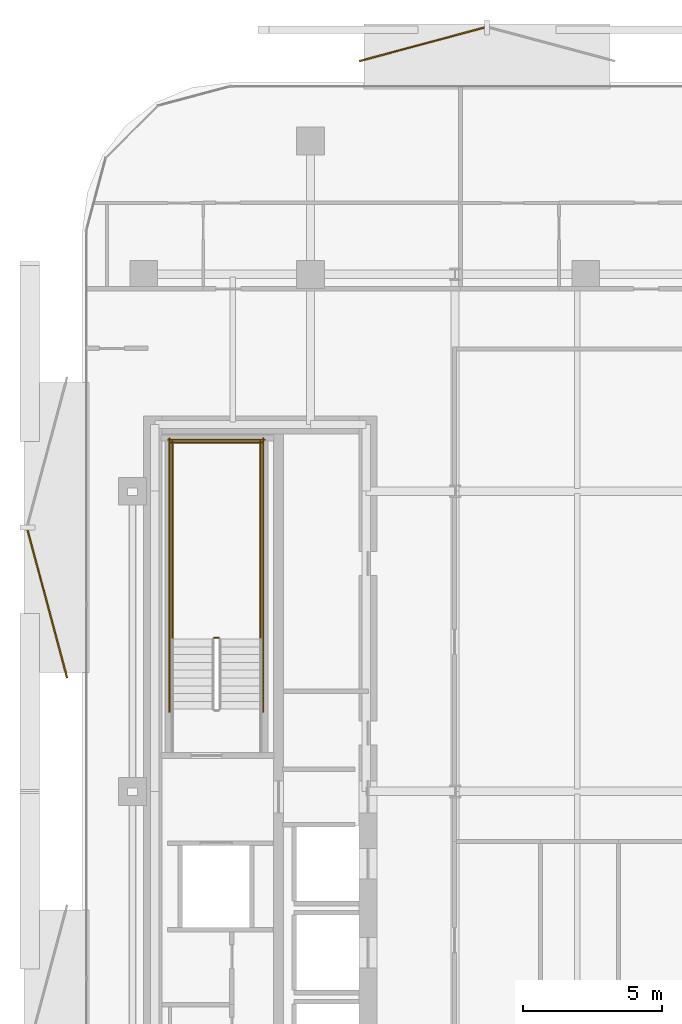
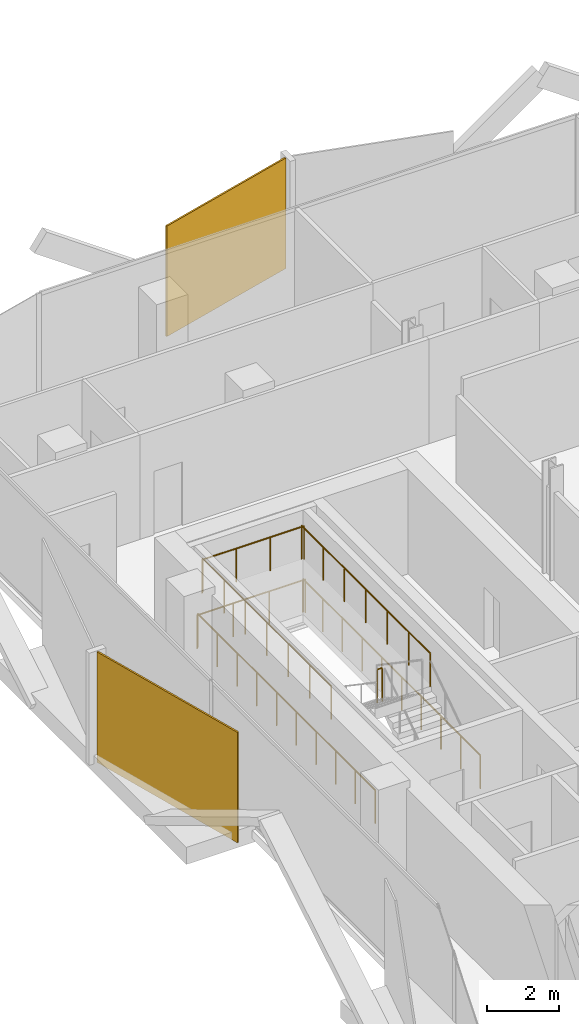
# One storey, part 16 of 17: 7 railings, 2 coverings.
"""IFC4 building model written with IfcOpenShell, lengths in metres."""

import ifcopenshell
import ifcopenshell.guid

model = None  # the IFC model being written
_history = None  # IfcOwnerHistory: only IFC2X3 demands one
_inside = {}  # id of a spatial element -> (the spatial element, [elements in it])
_under = {}  # id of a project, library or spatial element -> (it, [spatial elements below it])
_declared = {}  # id of a project -> (the project, [libraries it declares])
_typed = {}  # id of a type object -> (the type object, [elements of that type])
_made_of = {}  # id of a material, layer set ... -> (it, [elements and type objects made of it])


def new_model(schema):
    """Start an empty IFC model of exactly this schema.

    Asked for "IFC4X3", IfcOpenShell would pick the latest addendum, in which some entities
    have other attributes; the version numbers below select the first issue.
    IFC2X3 requires an IfcOwnerHistory on every rooted entity: one is made here for all.
    """
    global model, _history
    if schema == "IFC4X3":
        model = ifcopenshell.file(schema_version=(4, 3, 0, 0))
    else:
        model = ifcopenshell.file(schema=schema)
    _inside.clear()
    _under.clear()
    _declared.clear()
    _typed.clear()
    _made_of.clear()
    _history = None
    if model.schema == "IFC2X3":
        org = make("IfcOrganization", Name="unknown")
        user = make(
            "IfcPersonAndOrganization",
            ThePerson=make("IfcPerson", FamilyName="unknown"),
            TheOrganization=org,
        )
        app = make(
            "IfcApplication",
            ApplicationDeveloper=org,
            Version="unknown",
            ApplicationFullName="unknown",
            ApplicationIdentifier="unknown",
        )
        _history = make(
            "IfcOwnerHistory",
            OwningUser=user,
            OwningApplication=app,
            ChangeAction="ADDED",
            CreationDate=0,
        )
    return model


def make(cls, **values):
    """One entity of the class cls with the attributes given. An attribute that is None is left unset."""
    return model.create_entity(
        cls, **{name: value for name, value in values.items() if value is not None}
    )


def rooted(cls, **values):
    """An entity with a GlobalId (a new one), such as an element, a storey or a relation."""
    return make(cls, GlobalId=ifcopenshell.guid.new(), OwnerHistory=_history, **values)


def si_unit(unit_type, name, prefix=None):
    """IfcSIUnit, for example si_unit("LENGTHUNIT", "METRE", prefix="MILLI")."""
    return make("IfcSIUnit", UnitType=unit_type, Prefix=prefix, Name=name)


def assignment(units):
    """IfcUnitAssignment: the units of a project."""
    return None if units is None else make("IfcUnitAssignment", Units=units)


def point(xyz):
    """IfcCartesianPoint."""
    return None if xyz is None else make("IfcCartesianPoint", Coordinates=xyz)


def direction(xyz):
    """IfcDirection."""
    return None if xyz is None else make("IfcDirection", DirectionRatios=xyz)


def frame(location, z_axis=None, x_axis=None):
    """IfcAxis2Placement3D, a coordinate frame: its origin and axes. An axis left out is left unset."""
    return make(
        "IfcAxis2Placement3D",
        Location=point(location),
        Axis=direction(z_axis),
        RefDirection=direction(x_axis),
    )


def frame_2d(location, x_axis=None):
    """IfcAxis2Placement2D, a coordinate frame in the plane: its origin and x axis."""
    return make(
        "IfcAxis2Placement2D", Location=point(location), RefDirection=direction(x_axis)
    )


def origin():
    """The frame at (0, 0, 0) with its axes left unset."""
    return frame((0.0, 0.0, 0.0))


def origin_2d():
    """The frame at (0, 0) in the plane with its x axis left unset."""
    return frame_2d((0.0, 0.0))


def place(relative_to, where):
    """IfcLocalPlacement: puts the frame where relative to a parent placement (None: the world)."""
    return make(
        "IfcLocalPlacement", PlacementRelTo=relative_to, RelativePlacement=where
    )


def context(
    kind, dimensions, precision=None, world=None, true_north=None, identifier=None
):
    """IfcGeometricRepresentationContext, for example the 3D "Model" context."""
    return make(
        "IfcGeometricRepresentationContext",
        ContextIdentifier=identifier,
        ContextType=kind,
        CoordinateSpaceDimension=dimensions,
        Precision=precision,
        WorldCoordinateSystem=world,
        TrueNorth=true_north,
    )


def subcontext(parent, identifier, kind, view, scale=None):
    """IfcGeometricRepresentationSubContext, for example "Body" below "Model"."""
    return make(
        "IfcGeometricRepresentationSubContext",
        ContextIdentifier=identifier,
        ContextType=kind,
        ParentContext=parent,
        TargetScale=scale,
        TargetView=view,
    )


def project(units=None, contexts=None):
    """IfcProject with its units and contexts."""
    return rooted(
        "IfcProject",
        Name="project",
        RepresentationContexts=contexts,
        UnitsInContext=assignment(units),
    )


def spatial(cls, under=None, at=None, **own):
    """A site, building, storey or space (cls), placed at a placement, below another one or the project."""
    s = rooted(cls, ObjectPlacement=at, **own)
    if under is not None:
        _under.setdefault(under.id(), (under, []))[1].append(s)
    return s


def profile(cls, at=None, kind="AREA", **sizes):
    """A parametric profile (cls). Its sizes go by their IFC names, for example OverallWidth=200.0."""
    return make(cls, ProfileType=kind, Position=at, **sizes)


def rectangle(**sizes):
    """IfcRectangleProfileDef."""
    return profile("IfcRectangleProfileDef", **sizes)


def circle(**sizes):
    """IfcCircleProfileDef."""
    return profile("IfcCircleProfileDef", **sizes)


def extrude(swept, where, along, depth):
    """IfcExtrudedAreaSolid: the profile swept, set in the frame where, extruded along a direction by depth."""
    return make(
        "IfcExtrudedAreaSolid",
        SweptArea=swept,
        Position=where,
        ExtrudedDirection=direction(along),
        Depth=depth,
    )


def shape(context_of_items, identifier, shape_type, items):
    """IfcShapeRepresentation: the items that make up one representation, for example the "Body"."""
    return make(
        "IfcShapeRepresentation",
        ContextOfItems=context_of_items,
        RepresentationIdentifier=identifier,
        RepresentationType=shape_type,
        Items=items,
    )


def material(Name=None, Category=None):
    """IfcMaterial."""
    return make("IfcMaterial", Name=Name, Category=Category)


def layer(
    of_material, thickness, ventilated=None, Name=None, Category=None, Priority=None
):
    """IfcMaterialLayer: one layer of a wall or slab, of a material (None: an air gap)."""
    return make(
        "IfcMaterialLayer",
        Material=of_material,
        LayerThickness=thickness,
        IsVentilated=ventilated,
        Name=Name,
        Category=Category,
        Priority=Priority,
    )


def layer_set(layers, Name=None):
    """IfcMaterialLayerSet."""
    return make("IfcMaterialLayerSet", MaterialLayers=layers, LayerSetName=Name)


def made_of(thing, what):
    """Note that an element or type object is made of a material, layer set ...; save() writes the relation."""
    if what is not None:
        _made_of.setdefault(what.id(), (what, []))[1].append(thing)
    return thing


def type_object(cls, material=None, **own):
    """A type object (cls), such as IfcWallType, which elements share."""
    return made_of(rooted(cls, **own), material)


def element(
    cls,
    number,
    at=None,
    inside=None,
    cuts=None,
    type_object=None,
    material=None,
    context=None,
    identifier="Body",
    shape_type=None,
    held_by="IfcProductDefinitionShape",
    body=None,
    shapes=None,
    **own,
):
    """One element of the class cls, such as IfcWall. Its Tag is "e" and its number.

    at: its placement. inside: the storey or other place that contains it. cuts: it is an
    opening in that element (IfcRelVoidsElement). A single representation is given by context,
    identifier, shape_type and body (its items); several are given by shapes. held_by: the class
    of the entity that holds the representations. save() writes the other relations.
    """
    e = rooted(cls, Tag="e%d" % number, ObjectPlacement=at, **own)
    if body is not None:
        shapes = [shape(context, identifier, shape_type, body)]
    if shapes is not None:
        e.Representation = make(held_by, Representations=shapes)
    if inside is not None:
        _inside.setdefault(inside.id(), (inside, []))[1].append(e)
    if cuts is not None:
        rooted(
            "IfcRelVoidsElement", RelatingBuildingElement=cuts, RelatedOpeningElement=e
        )
    if type_object is not None:
        _typed.setdefault(type_object.id(), (type_object, []))[1].append(e)
    return made_of(e, material)


def aggregate(whole, parts):
    """IfcRelAggregates: a whole, such as a stair, and the parts it consists of."""
    return rooted("IfcRelAggregates", RelatingObject=whole, RelatedObjects=parts)


def save(model, path):
    """Write the relations noted so far, then the file.

    IfcRelAggregates (storeys below a building ...), IfcRelContainedInSpatialStructure (elements
    in a storey), IfcRelDefinesByType, IfcRelAssociatesMaterial and IfcRelDeclares: one each for
    every whole, place, type object, material and project.
    """
    for whole, parts in _under.values():
        aggregate(whole, parts)
    for where, things in _inside.values():
        rooted(
            "IfcRelContainedInSpatialStructure",
            RelatedElements=things,
            RelatingStructure=where,
        )
    for kind, things in _typed.values():
        rooted("IfcRelDefinesByType", RelatedObjects=things, RelatingType=kind)
    for what, things in _made_of.values():
        rooted("IfcRelAssociatesMaterial", RelatedObjects=things, RelatingMaterial=what)
    for by, libraries in _declared.values():
        rooted("IfcRelDeclares", RelatingContext=by, RelatedDefinitions=libraries)
    model.write(path)


model = new_model("IFC4")

# Units and contexts
model_context = context("Model", 3, precision=1e-05, world=origin(), true_north=direction((0.0, 1.0)))
body_context = subcontext(model_context, "Body", "Model", "MODEL_VIEW")
ifc_project = project(units=[si_unit("LENGTHUNIT", "METRE"), si_unit("AREAUNIT", "SQUARE_METRE"), si_unit("VOLUMEUNIT", "CUBIC_METRE"), si_unit("PLANEANGLEUNIT", "RADIAN"), si_unit("MASSUNIT", "GRAM", prefix="KILO")], contexts=[model_context])

# Site, building, storey
site_placement = place(None, origin())
site = spatial("IfcSite", under=ifc_project, at=site_placement, CompositionType="ELEMENT")
building_placement = place(site_placement, origin())
building = spatial("IfcBuilding", under=site, at=building_placement, Name="Khairoan Windgate Tower", CompositionType="ELEMENT")
storey_placement = place(building_placement, frame((0.0, 0.0, 203.0)))
storey = spatial("IfcBuildingStorey", under=building, at=storey_placement, Name="L47", CompositionType="ELEMENT", Elevation=203.0)

# Coverings
ifc_material_1 = material(Name="Anodised Bronze Aluminium 6063-T6", Category="aluminium")
ifc_layer = layer(ifc_material_1, 0.054931640625, Name="Anodised Bronze Aluminium 6063-T6")
ifc_layer_set = layer_set([ifc_layer], Name="Anodised Bronze Aluminium 6063-T6")
covering_type = type_object("IfcCoveringType", Name="Perforated Bronze-Ceramic Folded Solar Screen Cladding BSC-1", PredefinedType="CLADDING", material=ifc_layer_set)
covering_1_placement = place(storey_placement, frame((-23.8671875, 6.74560546875, -0.10009765625), z_axis=(0.0, 0.0, 1.0), x_axis=(-0.258819045103, 0.965925826289, 0.0)))
element("IfcCovering", 1, at=covering_1_placement, inside=storey, type_object=covering_type, Name="L47 Folded Bronze Solar Screen Facet 316L", PredefinedType="CLADDING", context=body_context, shape_type="SweptSolid", body=[
    extrude(rectangle(XDim=5.507080078125, YDim=0.054931640625, at=origin_2d()), origin(), (0.0, 0.0, 1.0), 3.739990234375),
])
covering_2_placement = place(storey_placement, frame((-10.388916015625, 26.876220703125, -0.10009765625), z_axis=(0.0, 0.0, 1.0), x_axis=(0.965925826289, 0.258819045103, 0.0)))
element("IfcCovering", 2, at=covering_2_placement, inside=storey, type_object=covering_type, Name="L47 Folded Bronze Solar Screen Facet 317L", PredefinedType="CLADDING", context=body_context, shape_type="SweptSolid", body=[
    extrude(rectangle(XDim=4.666015625, YDim=0.054931640625, at=origin_2d()), origin(), (0.0, 0.0, 1.0), 3.739990234375),
])

# Railings
ifc_material_2 = material(Name="Steel S355", Category="steel")
railing_type = type_object("IfcRailingType", Name="Stairwell Safety Guardrail SGR-1150", PredefinedType="GUARDRAIL", material=ifc_material_2)
railing_1_placement = place(storey_placement, frame((-17.7099609375, 5.530029296875, 1.89990234375)))
element("IfcRailing", 3, at=railing_1_placement, inside=storey, type_object=railing_type, Name="L47 ST2 stair guard 2", PredefinedType="GUARDRAIL", context=body_context, shape_type="SweptSolid", body=[
    extrude(circle(Radius=0.02392578125, at=origin_2d()), frame((0.0, 0.0, 1.1259765625), z_axis=(-1.0, 0.0, 0.0), x_axis=(0.0, -1.0, 0.0)), (0.0, 0.0, 1.0), 0.150146484375),
    extrude(circle(Radius=0.02099609375, at=origin_2d()), origin(), (0.0, 0.0, 1.0), 1.101806640625),
    extrude(circle(Radius=0.02099609375, at=origin_2d()), frame((-0.150146484375, 0.0, 0.0)), (0.0, 0.0, 1.0), 1.101806640625),
])
for number, where, name in (
    (4, (-16.199951171875, 5.47998046875, 1.89990234375), "L47 ST2 stair guard 3"),
    (5, (-19.3701171875, 5.47998046875, 1.89990234375), "L47 ST2 stair guard 4"),
):
    element("IfcRailing", number, at=place(storey_placement, frame(where)), inside=storey, type_object=railing_type, Name=name, PredefinedType="GUARDRAIL", context=body_context, shape_type="SweptSolid", body=[
        extrude(circle(Radius=0.02392578125, at=origin_2d()), frame((0.0, 0.0, 1.1259765625), z_axis=(0.0, 1.0, 0.0), x_axis=(-1.0, 0.0, 0.0)), (0.0, 0.0, 1.0), 7.1201171875),
        extrude(circle(Radius=0.02099609375, at=origin_2d()), origin(), (0.0, 0.0, 1.0), 1.101806640625),
        extrude(circle(Radius=0.02099609375, at=origin_2d()), frame((0.0, 1.186767578125, 0.0)), (0.0, 0.0, 1.0), 1.101806640625),
        extrude(circle(Radius=0.02099609375, at=origin_2d()), frame((0.0, 2.373291015625, 0.0)), (0.0, 0.0, 1.0), 1.101806640625),
        extrude(circle(Radius=0.02099609375, at=origin_2d()), frame((0.0, 3.56005859375, 0.0)), (0.0, 0.0, 1.0), 1.101806640625),
        extrude(circle(Radius=0.02099609375, at=origin_2d()), frame((0.0, 4.746826171875, 0.0)), (0.0, 0.0, 1.0), 1.101806640625),
        extrude(circle(Radius=0.02099609375, at=origin_2d()), frame((0.0, 5.933349609375, 0.0)), (0.0, 0.0, 1.0), 1.101806640625),
        extrude(circle(Radius=0.02099609375, at=origin_2d()), frame((0.0, 7.1201171875, 0.0)), (0.0, 0.0, 1.0), 1.101806640625),
    ])
railing_2_placement = place(storey_placement, frame((-16.14990234375, 12.550048828125, 1.89990234375)))
element("IfcRailing", 6, at=railing_2_placement, inside=storey, type_object=railing_type, Name="L47 ST2 stair guard 5", PredefinedType="GUARDRAIL", context=body_context, shape_type="SweptSolid", body=[
    extrude(circle(Radius=0.02392578125, at=origin_2d()), frame((0.0, 0.0, 1.1259765625), z_axis=(-1.0, 0.0, 0.0), x_axis=(0.0, -1.0, 0.0)), (0.0, 0.0, 1.0), 3.27001953125),
    extrude(circle(Radius=0.02099609375, at=origin_2d()), origin(), (0.0, 0.0, 1.0), 1.101806640625),
    extrude(circle(Radius=0.02099609375, at=origin_2d()), frame((-1.090087890625, 0.0, 0.0)), (0.0, 0.0, 1.0), 1.101806640625),
    extrude(circle(Radius=0.02099609375, at=origin_2d()), frame((-2.179931640625, 0.0, 0.0)), (0.0, 0.0, 1.0), 1.101806640625),
    extrude(circle(Radius=0.02099609375, at=origin_2d()), frame((-3.27001953125, 0.0, 0.0)), (0.0, 0.0, 1.0), 1.101806640625),
])
for number, where, name in (
    (7, (-16.10009765625, 2.860107421875, 0.0), "L47 ST2 stair guard 10"),
    (8, (-19.469970703125, 2.860107421875, 0.0), "L47 ST2 stair guard 11"),
):
    element("IfcRailing", number, at=place(storey_placement, frame(where)), inside=storey, type_object=railing_type, Name=name, PredefinedType="GUARDRAIL", context=body_context, shape_type="SweptSolid", body=[
        extrude(circle(Radius=0.02392578125, at=origin_2d()), frame((0.0, 0.0, 1.1259765625), z_axis=(0.0, 1.0, 0.0), x_axis=(-1.0, 0.0, 0.0)), (0.0, 0.0, 1.0), 9.83984375),
        extrude(circle(Radius=0.02099609375, at=origin_2d()), origin(), (0.0, 0.0, 1.0), 1.101806640625),
        extrude(circle(Radius=0.02099609375, at=origin_2d()), frame((0.0, 1.09326171875, 0.0)), (0.0, 0.0, 1.0), 1.101806640625),
        extrude(circle(Radius=0.02099609375, at=origin_2d()), frame((0.0, 2.1865234375, 0.0)), (0.0, 0.0, 1.0), 1.101806640625),
        extrude(circle(Radius=0.02099609375, at=origin_2d()), frame((0.0, 3.280029296875, 0.0)), (0.0, 0.0, 1.0), 1.101806640625),
        extrude(circle(Radius=0.02099609375, at=origin_2d()), frame((0.0, 4.373291015625, 0.0)), (0.0, 0.0, 1.0), 1.101806640625),
        extrude(circle(Radius=0.02099609375, at=origin_2d()), frame((0.0, 5.466552734375, 0.0)), (0.0, 0.0, 1.0), 1.101806640625),
        extrude(circle(Radius=0.02099609375, at=origin_2d()), frame((0.0, 6.559814453125, 0.0)), (0.0, 0.0, 1.0), 1.101806640625),
        extrude(circle(Radius=0.02099609375, at=origin_2d()), frame((0.0, 7.6533203125, 0.0)), (0.0, 0.0, 1.0), 1.101806640625),
        extrude(circle(Radius=0.02099609375, at=origin_2d()), frame((0.0, 8.74658203125, 0.0)), (0.0, 0.0, 1.0), 1.101806640625),
        extrude(circle(Radius=0.02099609375, at=origin_2d()), frame((0.0, 9.83984375, 0.0)), (0.0, 0.0, 1.0), 1.101806640625),
    ])
railing_3_placement = place(storey_placement, frame((-16.050048828125, 12.64990234375, 0.0)))
element("IfcRailing", 9, at=railing_3_placement, inside=storey, type_object=railing_type, Name="L47 ST2 stair guard 12", PredefinedType="GUARDRAIL", context=body_context, shape_type="SweptSolid", body=[
    extrude(circle(Radius=0.02392578125, at=origin_2d()), frame((0.0, 0.0, 1.1259765625), z_axis=(-1.0, 0.0, 0.0), x_axis=(0.0, -1.0, 0.0)), (0.0, 0.0, 1.0), 3.469970703125),
    extrude(circle(Radius=0.02099609375, at=origin_2d()), origin(), (0.0, 0.0, 1.0), 1.101806640625),
    extrude(circle(Radius=0.02099609375, at=origin_2d()), frame((-1.15673828125, 0.0, 0.0)), (0.0, 0.0, 1.0), 1.101806640625),
    extrude(circle(Radius=0.02099609375, at=origin_2d()), frame((-2.313232421875, 0.0, 0.0)), (0.0, 0.0, 1.0), 1.101806640625),
    extrude(circle(Radius=0.02099609375, at=origin_2d()), frame((-3.469970703125, 0.0, 0.0)), (0.0, 0.0, 1.0), 1.101806640625),
])

save(model, "model.ifc")
